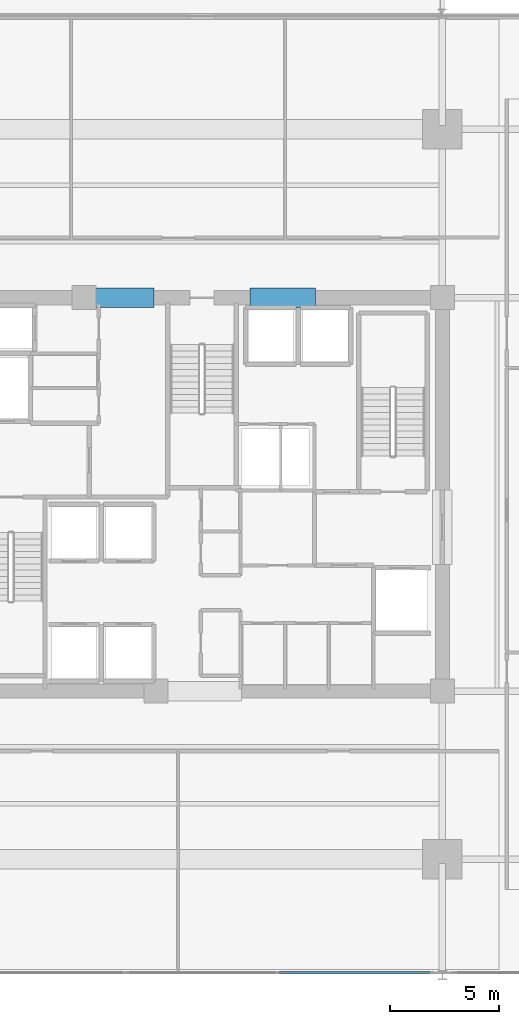
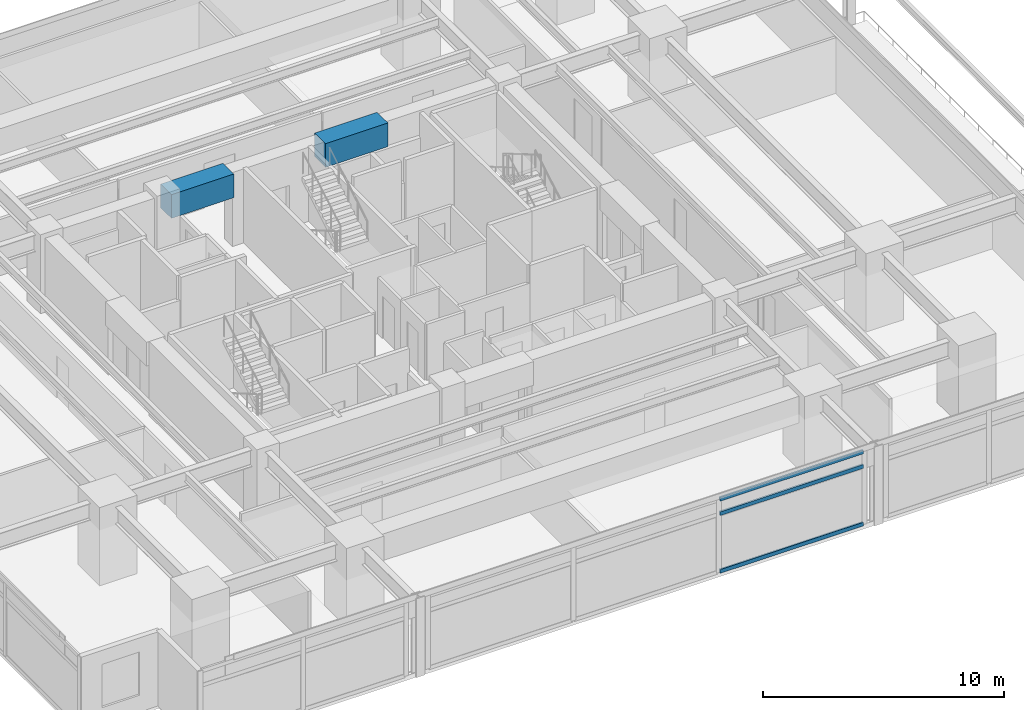
# One storey, part 8 of 20: 3 members, 2 beams, 1 element without a shape of its own.
"""IFC4 building model written with IfcOpenShell, lengths in metres."""

from ifc_helpers import new_model, si_unit, direction, frame, origin, origin_2d, place, context, subcontext, project, spatial, rectangle, hollow_rectangle, extrude, material, material_profile, profile_set, type_object, element, aggregate, save


model = new_model("IFC4")

# Units and contexts
model_context = context("Model", 3, precision=1e-05, world=origin(), true_north=direction((0.0, 1.0)))
body_context = subcontext(model_context, "Body", "Model", "MODEL_VIEW")
ifc_project = project(units=[si_unit("LENGTHUNIT", "METRE"), si_unit("AREAUNIT", "SQUARE_METRE"), si_unit("VOLUMEUNIT", "CUBIC_METRE"), si_unit("PLANEANGLEUNIT", "RADIAN"), si_unit("MASSUNIT", "GRAM", prefix="KILO")], contexts=[model_context])

# Site, building, storey
site_placement = place(None, origin())
site = spatial("IfcSite", under=ifc_project, at=site_placement, CompositionType="ELEMENT")
building_placement = place(site_placement, origin())
building = spatial("IfcBuilding", under=site, at=building_placement, Name="Kovane Verandah Tower", CompositionType="ELEMENT")
storey_placement = place(building_placement, frame((0.0, 0.0, 39.60009765625)))
storey = spatial("IfcBuildingStorey", under=building, at=storey_placement, Name="L08", CompositionType="ELEMENT", Elevation=39.60009765625)

# Beams
ifc_material_1 = material(Name="Concrete C80/95", Category="concrete")
ifc_material_profile_1 = material_profile(ifc_material_1, rectangle(XDim=0.89990234375, YDim=1.199951171875, at=origin_2d()), Name="RCB900x1200")
ifc_profile_set_1 = profile_set([ifc_material_profile_1], Name="Concrete C80/95")
beam_type = type_object("IfcBeamType", Name="BM-LINTEL-900x1200", PredefinedType="LINTEL", material=ifc_profile_set_1)
for number, where, z_axis, x_axis, name in (
    (1, (34.800048828125, 36.5, 3.159912109375), (1.0, 0.0, 0.0), (0.0, 1.0, 0.0), "L08 Core Coupling Lintel CL-N1"),
    (2, (42.199951171875, 36.5, 3.159912109375), (1.0, 0.0, 0.0), (0.0, 1.0, 0.0), "L08 Core Coupling Lintel CL-N2"),
):
    element("IfcBeam", number, at=place(storey_placement, frame(where, z_axis=z_axis, x_axis=x_axis)), inside=storey, type_object=beam_type, Name=name, PredefinedType="LINTEL", context=body_context, shape_type="SweptSolid", body=[
        extrude(rectangle(XDim=0.89990234375, YDim=1.199951171875, at=origin_2d()), origin(), (0.0, 0.0, 1.0), 3.0),
    ])

# Curtain wall, members
ifc_material_2 = material(Name="Champagne Anodised Aluminium Frame with Low-E Clear Laminated Glass", Category="aluminium")
curtain_wall_type = type_object("IfcCurtainWallType", Name="CW-SYS-02-LOW", PredefinedType="NOTDEFINED", material=ifc_material_2)
curtain_wall_placement = place(storey_placement, origin())
curtain_wall = element("IfcCurtainWall", 3, at=curtain_wall_placement, inside=storey, type_object=curtain_wall_type, Name="L08 S Unitised Curtain Wall-2", PredefinedType="NOTDEFINED")
ifc_material_3 = material(Name="Champagne Anodised Aluminium 6063-T6", Category="aluminium")
ifc_material_profile_2 = material_profile(ifc_material_3, hollow_rectangle(XDim=0.0849609375, YDim=0.18994140625, WallThickness=0.00390625, at=origin_2d()), Name="AL85x190x4")
ifc_profile_set_2 = profile_set([ifc_material_profile_2], Name="Champagne Anodised Aluminium 6063-T6")
member_type = type_object("IfcMemberType", Name="CW-TRN-85x190", PredefinedType="USERDEFINED", material=ifc_profile_set_2)
member_1_placement = place(storey_placement, frame((43.543212890625, 5.617919921875, 0.0498046875), z_axis=(1.0, 0.0, 0.0), x_axis=(0.0, 1.0, 0.0)))
member_1 = element("IfcMember", 4, at=member_1_placement, type_object=member_type, Name="L08 S Unitised Curtain Wall-2 Transom TB Bay 3", ObjectType="TRANSOM", PredefinedType="USERDEFINED", context=body_context, shape_type="SweptSolid", body=[
    extrude(hollow_rectangle(XDim=0.0849609375, YDim=0.18994140625, WallThickness=0.00390625, at=origin_2d()), origin(), (0.0, 0.0, 1.0), 6.88671875),
])
member_2_placement = place(storey_placement, frame((43.543212890625, 5.617919921875, 2.97998046875), z_axis=(1.0, 0.0, 0.0), x_axis=(0.0, 1.0, 0.0)))
member_2 = element("IfcMember", 5, at=member_2_placement, type_object=member_type, Name="L08 S Unitised Curtain Wall-2 Transom TM Bay 3", ObjectType="TRANSOM", PredefinedType="USERDEFINED", context=body_context, shape_type="SweptSolid", body=[
    extrude(hollow_rectangle(XDim=0.0849609375, YDim=0.18994140625, WallThickness=0.00390625, at=origin_2d()), origin(), (0.0, 0.0, 1.0), 6.88671875),
])
member_3_placement = place(storey_placement, frame((43.543212890625, 5.617919921875, 3.7099609375), z_axis=(1.0, 0.0, 0.0), x_axis=(0.0, 1.0, 0.0)))
member_3 = element("IfcMember", 6, at=member_3_placement, type_object=member_type, Name="L08 S Unitised Curtain Wall-2 Transom TT Bay 3", ObjectType="TRANSOM", PredefinedType="USERDEFINED", context=body_context, shape_type="SweptSolid", body=[
    extrude(hollow_rectangle(XDim=0.0849609375, YDim=0.18994140625, WallThickness=0.00390625, at=origin_2d()), origin(), (0.0, 0.0, 1.0), 6.88671875),
])
aggregate(curtain_wall, [member_1, member_2, member_3])

save(model, "model.ifc")
